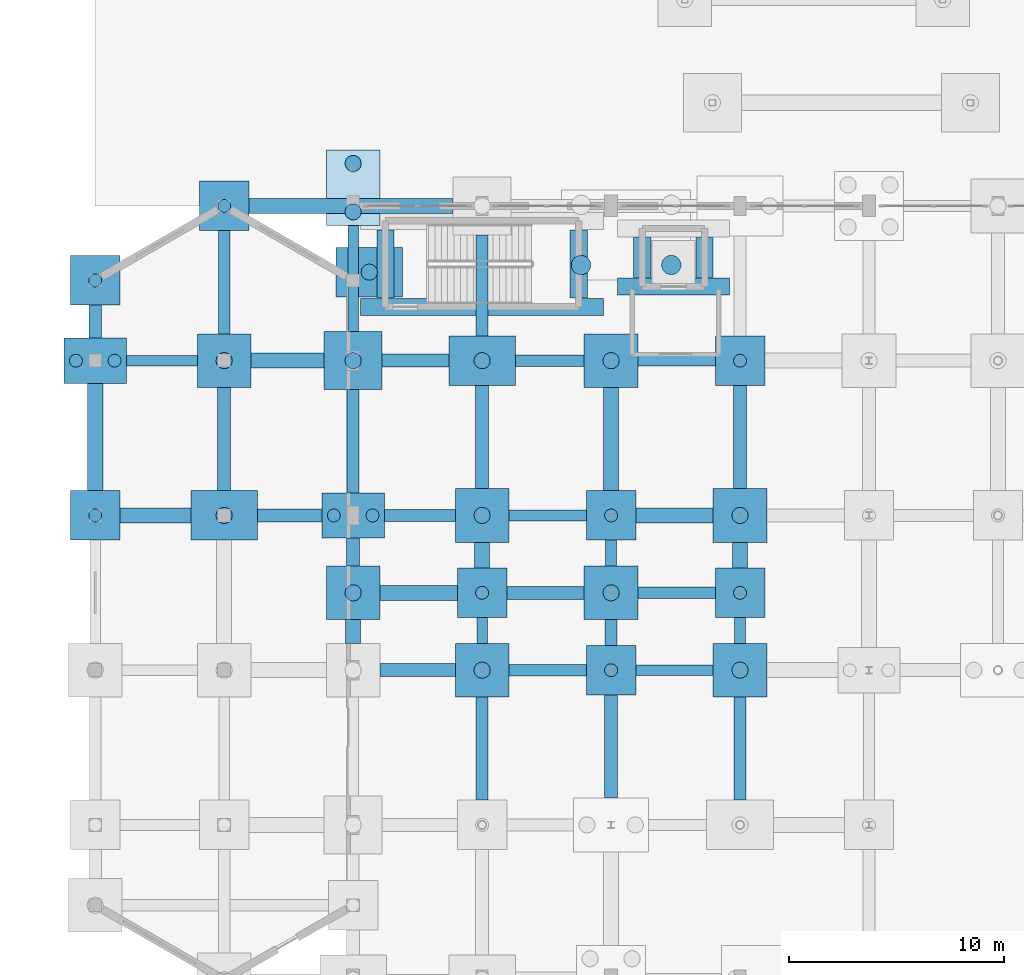
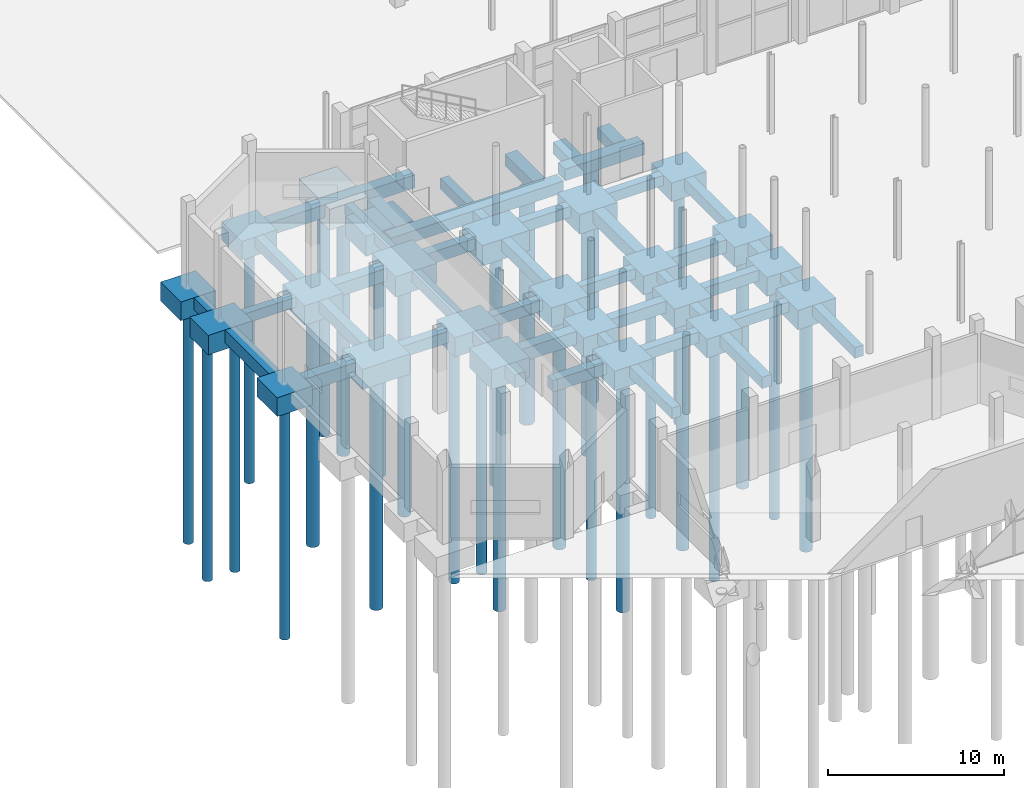
# One storey, part 4 of 103: 67 footings, 28 piles.
"""IFC4 building model written with IfcOpenShell, lengths in metres."""

from ifc_helpers import new_model, si_unit, direction, frame, origin, origin_2d, place, context, subcontext, project, spatial, rectangle, circle, extrude, material, material_profile, profile_set, type_object, element, save


model = new_model("IFC4")

# Units and contexts
model_context = context("Model", 3, precision=1e-05, world=origin(), true_north=direction((0.0, 1.0)))
body_context = subcontext(model_context, "Body", "Model", "MODEL_VIEW")
ifc_project = project(units=[si_unit("LENGTHUNIT", "METRE"), si_unit("AREAUNIT", "SQUARE_METRE"), si_unit("VOLUMEUNIT", "CUBIC_METRE"), si_unit("PLANEANGLEUNIT", "RADIAN"), si_unit("MASSUNIT", "GRAM", prefix="KILO")], contexts=[model_context])

# Site, building, storey
site_placement = place(None, origin())
site = spatial("IfcSite", under=ifc_project, at=site_placement, CompositionType="ELEMENT")
building_placement = place(site_placement, origin())
building = spatial("IfcBuilding", under=site, at=building_placement, Name="Dunvalen Ferry Terminal", CompositionType="ELEMENT")
storey_placement = place(building_placement, origin())
storey = spatial("IfcBuildingStorey", under=building, at=storey_placement, Name="L00", CompositionType="ELEMENT", Elevation=0.0)

# Footings
ifc_material = material(Name="Concrete C40/50", Category="concrete")
ifc_material_profile_1 = material_profile(ifc_material, rectangle(XDim=0.5, YDim=0.699951171875, at=origin_2d()), Name="Concrete C40/50")
ifc_profile_set_1 = profile_set([ifc_material_profile_1], Name="Concrete C40/50")
footing_type_1 = type_object("IfcFootingType", Name="STR-GB-500x700", PredefinedType="FOOTING_BEAM", material=ifc_profile_set_1)
for number, where, z_axis, x_axis, name in (
    (1, (25.14990234375, 64.800048828125, -0.669921875), (1.0, 0.0, 0.0), (0.0, 1.0, 0.0), "L00 Ground Beam X-231"),
    (2, (19.25, 72.0, -0.669921875), (1.0, 0.0, 0.0), (0.0, 1.0, 0.0), "L00 Ground Beam X-263"),
):
    element("IfcFooting", number, at=place(storey_placement, frame(where, z_axis=z_axis, x_axis=x_axis)), inside=storey, type_object=footing_type_1, Name=name, PredefinedType="FOOTING_BEAM", context=body_context, shape_type="SweptSolid", body=[
        extrude(rectangle(XDim=0.5, YDim=0.699951171875, at=origin_2d()), origin(), (0.0, 0.0, 1.0), 3.60009765625),
    ])
footing_1_placement = place(storey_placement, frame((1.449951171875, 79.199951171875, -0.669921875), z_axis=(1.0, 0.0, 0.0), x_axis=(0.0, 1.0, 0.0)))
element("IfcFooting", 3, at=footing_1_placement, inside=storey, type_object=footing_type_1, Name="L00 Ground Beam X-287", PredefinedType="FOOTING_BEAM", context=body_context, shape_type="SweptSolid", body=[
    extrude(rectangle(XDim=0.5, YDim=0.699951171875, at=origin_2d()), origin(), (0.0, 0.0, 1.0), 3.300048828125),
])
footing_2_placement = place(storey_placement, frame((25.25, 79.199951171875, -0.669921875), z_axis=(1.0, 0.0, 0.0), x_axis=(0.0, 1.0, 0.0)))
element("IfcFooting", 4, at=footing_2_placement, inside=storey, type_object=footing_type_1, Name="L00 Ground Beam X-291", PredefinedType="FOOTING_BEAM", context=body_context, shape_type="SweptSolid", body=[
    extrude(rectangle(XDim=0.5, YDim=0.699951171875, at=origin_2d()), origin(), (0.0, 0.0, 1.0), 3.60009765625),
])
footing_3_placement = place(storey_placement, frame((12.0, 80.550048828125, -0.669921875), z_axis=(0.0, 1.0, 0.0), x_axis=(-1.0, 0.0, 0.0)))
element("IfcFooting", 5, at=footing_3_placement, inside=storey, type_object=footing_type_1, Name="L00 Ground Beam Y-375", PredefinedType="FOOTING_BEAM", context=body_context, shape_type="SweptSolid", body=[
    extrude(rectangle(XDim=0.5, YDim=0.699951171875, at=origin_2d()), origin(), (0.0, 0.0, 1.0), 4.949951171875),
])
footing_4_placement = place(storey_placement, frame((18.0, 66.050048828125, -0.669921875), z_axis=(0.0, 1.0, 0.0), x_axis=(-1.0, 0.0, 0.0)))
element("IfcFooting", 6, at=footing_4_placement, inside=storey, type_object=footing_type_1, Name="L00 Ground Beam Y-379", PredefinedType="FOOTING_BEAM", context=body_context, shape_type="SweptSolid", body=[
    extrude(rectangle(XDim=0.5, YDim=0.699951171875, at=origin_2d()), origin(), (0.0, 0.0, 1.0), 1.199951171875),
])
footing_5_placement = place(storey_placement, frame((24.0, 69.64990234375, -0.669921875), z_axis=(0.0, 1.0, 0.0), x_axis=(-1.0, 0.0, 0.0)))
element("IfcFooting", 7, at=footing_5_placement, inside=storey, type_object=footing_type_1, Name="L00 Ground Beam Y-387", PredefinedType="FOOTING_BEAM", context=body_context, shape_type="SweptSolid", body=[
    extrude(rectangle(XDim=0.5, YDim=0.699951171875, at=origin_2d()), origin(), (0.0, 0.0, 1.0), 1.2001953125),
])
footing_6_placement = place(storey_placement, frame((30.0, 66.050048828125, -0.669921875), z_axis=(0.0, 1.0, 0.0), x_axis=(-1.0, 0.0, 0.0)))
element("IfcFooting", 8, at=footing_6_placement, inside=storey, type_object=footing_type_1, Name="L00 Ground Beam Y-391", PredefinedType="FOOTING_BEAM", context=body_context, shape_type="SweptSolid", body=[
    extrude(rectangle(XDim=0.5, YDim=0.699951171875, at=origin_2d()), origin(), (0.0, 0.0, 1.0), 1.199951171875),
])
ifc_material_profile_2 = material_profile(ifc_material, rectangle(XDim=0.550048828125, YDim=0.75, at=origin_2d()), Name="Concrete C40/50")
ifc_profile_set_2 = profile_set([ifc_material_profile_2], Name="Concrete C40/50")
footing_type_2 = type_object("IfcFootingType", Name="STR-GB-550x750", PredefinedType="FOOTING_BEAM", material=ifc_profile_set_2)
for number, where, z_axis, x_axis, name in (
    (9, (19.25, 64.800048828125, -0.695068359375), (1.0, 0.0, 0.0), (0.0, 1.0, 0.0), "L00 Ground Beam X-230"),
    (10, (25.25, 68.39990234375, -0.695068359375), (1.0, 0.0, 0.0), (0.0, 1.0, 0.0), "L00 Ground Beam X-250"),
):
    element("IfcFooting", number, at=place(storey_placement, frame(where, z_axis=z_axis, x_axis=x_axis)), inside=storey, type_object=footing_type_2, Name=name, PredefinedType="FOOTING_BEAM", context=body_context, shape_type="SweptSolid", body=[
        extrude(rectangle(XDim=0.550048828125, YDim=0.75, at=origin_2d()), origin(), (0.0, 0.0, 1.0), 3.60009765625),
    ])
footing_7_placement = place(storey_placement, frame((13.449951171875, 72.0, -0.695068359375), z_axis=(1.0, 0.0, 0.0), x_axis=(0.0, 1.0, 0.0)))
element("IfcFooting", 11, at=footing_7_placement, inside=storey, type_object=footing_type_2, Name="L00 Ground Beam X-262", PredefinedType="FOOTING_BEAM", context=body_context, shape_type="SweptSolid", body=[
    extrude(rectangle(XDim=0.550048828125, YDim=0.75, at=origin_2d()), origin(), (0.0, 0.0, 1.0), 3.300048828125),
])
footing_8_placement = place(storey_placement, frame((19.550048828125, 79.199951171875, -0.695068359375), z_axis=(1.0, 0.0, 0.0), x_axis=(0.0, 1.0, 0.0)))
element("IfcFooting", 12, at=footing_8_placement, inside=storey, type_object=footing_type_2, Name="L00 Ground Beam X-290", PredefinedType="FOOTING_BEAM", context=body_context, shape_type="SweptSolid", body=[
    extrude(rectangle(XDim=0.550048828125, YDim=0.75, at=origin_2d()), origin(), (0.0, 0.0, 1.0), 3.199951171875),
])
for number, where, z_axis, x_axis, name in (
    (13, (6.0, 80.449951171875, -0.695068359375), (0.0, 1.0, 0.0), (-1.0, 0.0, 0.0), "L00 Ground Beam Y-366"),
    (14, (12.0, 73.050048828125, -0.695068359375), (0.0, 1.0, 0.0), (-1.0, 0.0, 0.0), "L00 Ground Beam Y-374"),
    (15, (18.0, 58.75, -0.695068359375), (0.0, 1.0, 0.0), (-1.0, 0.0, 0.0), "L00 Ground Beam Y-378"),
):
    element("IfcFooting", number, at=place(storey_placement, frame(where, z_axis=z_axis, x_axis=x_axis)), inside=storey, type_object=footing_type_2, Name=name, PredefinedType="FOOTING_BEAM", context=body_context, shape_type="SweptSolid", body=[
        extrude(rectangle(XDim=0.550048828125, YDim=0.75, at=origin_2d()), origin(), (0.0, 0.0, 1.0), 4.800048828125),
    ])
footing_9_placement = place(storey_placement, frame((18.0, 80.35009765625, -0.695068359375), z_axis=(0.0, 1.0, 0.0), x_axis=(-1.0, 0.0, 0.0)))
element("IfcFooting", 16, at=footing_9_placement, inside=storey, type_object=footing_type_2, Name="L00 Ground Beam Y-382", PredefinedType="FOOTING_BEAM", context=body_context, shape_type="SweptSolid", body=[
    extrude(rectangle(XDim=0.550048828125, YDim=0.75, at=origin_2d()), origin(), (0.0, 0.0, 1.0), 4.699951171875),
])
footing_10_placement = place(storey_placement, frame((24.0, 65.949951171875, -0.695068359375), z_axis=(0.0, 1.0, 0.0), x_axis=(-1.0, 0.0, 0.0)))
element("IfcFooting", 17, at=footing_10_placement, inside=storey, type_object=footing_type_2, Name="L00 Ground Beam Y-386", PredefinedType="FOOTING_BEAM", context=body_context, shape_type="SweptSolid", body=[
    extrude(rectangle(XDim=0.550048828125, YDim=0.75, at=origin_2d()), origin(), (0.0, 0.0, 1.0), 1.199951171875),
])
footing_11_placement = place(storey_placement, frame((30.0, 58.75, -0.695068359375), z_axis=(0.0, 1.0, 0.0), x_axis=(-1.0, 0.0, 0.0)))
element("IfcFooting", 18, at=footing_11_placement, inside=storey, type_object=footing_type_2, Name="L00 Ground Beam Y-390", PredefinedType="FOOTING_BEAM", context=body_context, shape_type="SweptSolid", body=[
    extrude(rectangle(XDim=0.550048828125, YDim=0.75, at=origin_2d()), origin(), (0.0, 0.0, 1.0), 4.800048828125),
])
ifc_material_profile_3 = material_profile(ifc_material, rectangle(XDim=0.60009765625, YDim=0.800048828125, at=origin_2d()), Name="Concrete C40/50")
ifc_profile_set_3 = profile_set([ifc_material_profile_3], Name="Concrete C40/50")
footing_type_3 = type_object("IfcFootingType", Name="STR-GB-600x800", PredefinedType="FOOTING_BEAM", material=ifc_profile_set_3)
footing_12_placement = place(storey_placement, frame((13.25, 64.800048828125, -0.719970703125), z_axis=(1.0, 0.0, 0.0), x_axis=(0.0, 1.0, 0.0)))
element("IfcFooting", 19, at=footing_12_placement, inside=storey, type_object=footing_type_3, Name="L00 Ground Beam X-229", PredefinedType="FOOTING_BEAM", context=body_context, shape_type="SweptSolid", body=[
    extrude(rectangle(XDim=0.60009765625, YDim=0.800048828125, at=origin_2d()), origin(), (0.0, 0.0, 1.0), 3.5),
])
footing_13_placement = place(storey_placement, frame((19.14990234375, 68.39990234375, -0.719970703125), z_axis=(1.0, 0.0, 0.0), x_axis=(0.0, 1.0, 0.0)))
element("IfcFooting", 20, at=footing_13_placement, inside=storey, type_object=footing_type_3, Name="L00 Ground Beam X-249", PredefinedType="FOOTING_BEAM", context=body_context, shape_type="SweptSolid", body=[
    extrude(rectangle(XDim=0.60009765625, YDim=0.800048828125, at=origin_2d()), origin(), (0.0, 0.0, 1.0), 3.60009765625),
])
footing_14_placement = place(storey_placement, frame((7.550048828125, 72.0, -0.719970703125), z_axis=(1.0, 0.0, 0.0), x_axis=(0.0, 1.0, 0.0)))
element("IfcFooting", 21, at=footing_14_placement, inside=storey, type_object=footing_type_3, Name="L00 Ground Beam X-261", PredefinedType="FOOTING_BEAM", context=body_context, shape_type="SweptSolid", body=[
    extrude(rectangle(XDim=0.60009765625, YDim=0.800048828125, at=origin_2d()), origin(), (0.0, 0.0, 1.0), 3.0),
])
footing_15_placement = place(storey_placement, frame((13.35009765625, 79.199951171875, -0.719970703125), z_axis=(1.0, 0.0, 0.0), x_axis=(0.0, 1.0, 0.0)))
element("IfcFooting", 22, at=footing_15_placement, inside=storey, type_object=footing_type_3, Name="L00 Ground Beam X-289", PredefinedType="FOOTING_BEAM", context=body_context, shape_type="SweptSolid", body=[
    extrude(rectangle(XDim=0.60009765625, YDim=0.800048828125, at=origin_2d()), origin(), (0.0, 0.0, 1.0), 3.099853515625),
])
footing_16_placement = place(storey_placement, frame((0.0, 80.25, -0.719970703125), z_axis=(0.0, 1.0, 0.0), x_axis=(-1.0, 0.0, 0.0)))
element("IfcFooting", 23, at=footing_16_placement, inside=storey, type_object=footing_type_3, Name="L00 Ground Beam Y-361", PredefinedType="FOOTING_BEAM", context=body_context, shape_type="SweptSolid", body=[
    extrude(rectangle(XDim=0.60009765625, YDim=0.800048828125, at=origin_2d()), origin(), (0.0, 0.0, 1.0), 1.535888671875),
])
footing_17_placement = place(storey_placement, frame((6.0, 73.14990234375, -0.719970703125), z_axis=(0.0, 1.0, 0.0), x_axis=(-1.0, 0.0, 0.0)))
element("IfcFooting", 24, at=footing_17_placement, inside=storey, type_object=footing_type_3, Name="L00 Ground Beam Y-365", PredefinedType="FOOTING_BEAM", context=body_context, shape_type="SweptSolid", body=[
    extrude(rectangle(XDim=0.60009765625, YDim=0.800048828125, at=origin_2d()), origin(), (0.0, 0.0, 1.0), 4.800048828125),
])
footing_18_placement = place(storey_placement, frame((12.0, 69.64990234375, -0.719970703125), z_axis=(0.0, 1.0, 0.0), x_axis=(-1.0, 0.0, 0.0)))
element("IfcFooting", 25, at=footing_18_placement, inside=storey, type_object=footing_type_3, Name="L00 Ground Beam Y-373", PredefinedType="FOOTING_BEAM", context=body_context, shape_type="SweptSolid", body=[
    extrude(rectangle(XDim=0.60009765625, YDim=0.800048828125, at=origin_2d()), origin(), (0.0, 0.0, 1.0), 1.300048828125),
])
footing_19_placement = place(storey_placement, frame((18.0, 73.25, -0.719970703125), z_axis=(0.0, 1.0, 0.0), x_axis=(-1.0, 0.0, 0.0)))
element("IfcFooting", 26, at=footing_19_placement, inside=storey, type_object=footing_type_3, Name="L00 Ground Beam Y-381", PredefinedType="FOOTING_BEAM", context=body_context, shape_type="SweptSolid", body=[
    extrude(rectangle(XDim=0.60009765625, YDim=0.800048828125, at=origin_2d()), origin(), (0.0, 0.0, 1.0), 4.800048828125),
])
footing_20_placement = place(storey_placement, frame((24.0, 58.85009765625, -0.719970703125), z_axis=(0.0, 1.0, 0.0), x_axis=(-1.0, 0.0, 0.0)))
element("IfcFooting", 27, at=footing_20_placement, inside=storey, type_object=footing_type_3, Name="L00 Ground Beam Y-385", PredefinedType="FOOTING_BEAM", context=body_context, shape_type="SweptSolid", body=[
    extrude(rectangle(XDim=0.60009765625, YDim=0.800048828125, at=origin_2d()), origin(), (0.0, 0.0, 1.0), 4.7998046875),
])
footing_21_placement = place(storey_placement, frame((30.0, 73.25, -0.719970703125), z_axis=(0.0, 1.0, 0.0), x_axis=(-1.0, 0.0, 0.0)))
element("IfcFooting", 28, at=footing_21_placement, inside=storey, type_object=footing_type_3, Name="L00 Ground Beam Y-393", PredefinedType="FOOTING_BEAM", context=body_context, shape_type="SweptSolid", body=[
    extrude(rectangle(XDim=0.60009765625, YDim=0.800048828125, at=origin_2d()), origin(), (0.0, 0.0, 1.0), 4.800048828125),
])
ifc_material_profile_4 = material_profile(ifc_material, rectangle(XDim=0.699951171875, YDim=0.89990234375, at=origin_2d()), Name="Concrete C40/50")
ifc_profile_set_4 = profile_set([ifc_material_profile_4], Name="Concrete C40/50")
footing_type_4 = type_object("IfcFootingType", Name="STR-GB-700x900", PredefinedType="FOOTING_BEAM", material=ifc_profile_set_4)
footing_22_placement = place(storey_placement, frame((13.25, 68.39990234375, -0.77001953125), z_axis=(1.0, 0.0, 0.0), x_axis=(0.0, 1.0, 0.0)))
element("IfcFooting", 29, at=footing_22_placement, inside=storey, type_object=footing_type_4, Name="L00 Ground Beam X-248", PredefinedType="FOOTING_BEAM", context=body_context, shape_type="SweptSolid", body=[
    extrude(rectangle(XDim=0.699951171875, YDim=0.89990234375, at=origin_2d()), origin(), (0.0, 0.0, 1.0), 3.60009765625),
])
footing_23_placement = place(storey_placement, frame((1.14990234375, 72.0, -0.77001953125), z_axis=(1.0, 0.0, 0.0), x_axis=(0.0, 1.0, 0.0)))
element("IfcFooting", 30, at=footing_23_placement, inside=storey, type_object=footing_type_4, Name="L00 Ground Beam X-260", PredefinedType="FOOTING_BEAM", context=body_context, shape_type="SweptSolid", body=[
    extrude(rectangle(XDim=0.699951171875, YDim=0.89990234375, at=origin_2d()), origin(), (0.0, 0.0, 1.0), 3.300048828125),
])
footing_24_placement = place(storey_placement, frame((25.14990234375, 72.0, -0.77001953125), z_axis=(1.0, 0.0, 0.0), x_axis=(0.0, 1.0, 0.0)))
element("IfcFooting", 31, at=footing_24_placement, inside=storey, type_object=footing_type_4, Name="L00 Ground Beam X-264", PredefinedType="FOOTING_BEAM", context=body_context, shape_type="SweptSolid", body=[
    extrude(rectangle(XDim=0.699951171875, YDim=0.89990234375, at=origin_2d()), origin(), (0.0, 0.0, 1.0), 3.60009765625),
])
footing_25_placement = place(storey_placement, frame((7.25, 79.199951171875, -0.77001953125), z_axis=(1.0, 0.0, 0.0), x_axis=(0.0, 1.0, 0.0)))
element("IfcFooting", 32, at=footing_25_placement, inside=storey, type_object=footing_type_4, Name="L00 Ground Beam X-288", PredefinedType="FOOTING_BEAM", context=body_context, shape_type="SweptSolid", body=[
    extrude(rectangle(XDim=0.699951171875, YDim=0.89990234375, at=origin_2d()), origin(), (0.0, 0.0, 1.0), 3.39990234375),
])
footing_26_placement = place(storey_placement, frame((7.14990234375, 86.39990234375, -0.77001953125), z_axis=(1.0, 0.0, 0.0), x_axis=(0.0, 1.0, 0.0)))
element("IfcFooting", 33, at=footing_26_placement, inside=storey, type_object=footing_type_4, Name="L00 Ground Beam X-312", PredefinedType="FOOTING_BEAM", context=body_context, shape_type="SweptSolid", body=[
    extrude(rectangle(XDim=0.699951171875, YDim=0.89990234375, at=origin_2d()), origin(), (0.0, 0.0, 1.0), 9.5),
])
footing_27_placement = place(storey_placement, frame((0.0, 73.14990234375, -0.77001953125), z_axis=(0.0, 1.0, 0.0), x_axis=(-1.0, 0.0, 0.0)))
element("IfcFooting", 34, at=footing_27_placement, inside=storey, type_object=footing_type_4, Name="L00 Ground Beam Y-360", PredefinedType="FOOTING_BEAM", context=body_context, shape_type="SweptSolid", body=[
    extrude(rectangle(XDim=0.699951171875, YDim=0.89990234375, at=origin_2d()), origin(), (0.0, 0.0, 1.0), 5.0),
])
footing_28_placement = place(storey_placement, frame((12.0, 66.050048828125, -0.77001953125), z_axis=(0.0, 1.0, 0.0), x_axis=(-1.0, 0.0, 0.0)))
element("IfcFooting", 35, at=footing_28_placement, inside=storey, type_object=footing_type_4, Name="L00 Ground Beam Y-372", PredefinedType="FOOTING_BEAM", context=body_context, shape_type="SweptSolid", body=[
    extrude(rectangle(XDim=0.699951171875, YDim=0.89990234375, at=origin_2d()), origin(), (0.0, 0.0, 1.0), 1.099853515625),
])
footing_29_placement = place(storey_placement, frame((18.0, 69.550048828125, -0.77001953125), z_axis=(0.0, 1.0, 0.0), x_axis=(-1.0, 0.0, 0.0)))
element("IfcFooting", 36, at=footing_29_placement, inside=storey, type_object=footing_type_4, Name="L00 Ground Beam Y-380", PredefinedType="FOOTING_BEAM", context=body_context, shape_type="SweptSolid", body=[
    extrude(rectangle(XDim=0.699951171875, YDim=0.89990234375, at=origin_2d()), origin(), (0.0, 0.0, 1.0), 1.199951171875),
])
footing_30_placement = place(storey_placement, frame((24.0, 73.14990234375, -0.77001953125), z_axis=(0.0, 1.0, 0.0), x_axis=(-1.0, 0.0, 0.0)))
element("IfcFooting", 37, at=footing_30_placement, inside=storey, type_object=footing_type_4, Name="L00 Ground Beam Y-388", PredefinedType="FOOTING_BEAM", context=body_context, shape_type="SweptSolid", body=[
    extrude(rectangle(XDim=0.699951171875, YDim=0.89990234375, at=origin_2d()), origin(), (0.0, 0.0, 1.0), 4.800048828125),
])
footing_31_placement = place(storey_placement, frame((30.0, 69.550048828125, -0.77001953125), z_axis=(0.0, 1.0, 0.0), x_axis=(-1.0, 0.0, 0.0)))
element("IfcFooting", 38, at=footing_31_placement, inside=storey, type_object=footing_type_4, Name="L00 Ground Beam Y-392", PredefinedType="FOOTING_BEAM", context=body_context, shape_type="SweptSolid", body=[
    extrude(rectangle(XDim=0.699951171875, YDim=0.89990234375, at=origin_2d()), origin(), (0.0, 0.0, 1.0), 1.199951171875),
])
footing_type_5 = type_object("IfcFootingType", Name="STR-PC-04", PredefinedType="PILE_CAP", material=ifc_material)
for number, where, z_axis, x_axis, name in (
    (39, (0.0, 72.0, -1.6201171875), (0.0, 0.0, 1.0), (1.0, 0.0, 0.0), "L00 Pile Cap 004"),
    (40, (0.0, 82.93603515625, -1.6201171875), (0.0, 0.0, 1.0), (1.0, 0.0, 0.0), "L00 Pile Cap 006"),
    (41, (6.0, 86.39990234375, -1.6201171875), (0.0, 0.0, 1.0), (1.0, 0.0, 0.0), "L00 Pile Cap 012"),
    (42, (18.0, 68.39990234375, -1.6201171875), (0.0, 0.0, 1.0), (1.0, 0.0, 0.0), "L00 Pile Cap 028"),
    (43, (24.0, 64.800048828125, -1.6201171875), (0.0, 0.0, 1.0), (1.0, 0.0, 0.0), "L00 Pile Cap 036"),
    (44, (24.0, 72.0, -1.6201171875), (0.0, 0.0, 1.0), (1.0, 0.0, 0.0), "L00 Pile Cap 038"),
    (45, (30.0, 68.39990234375, -1.6201171875), (0.0, 0.0, 1.0), (1.0, 0.0, 0.0), "L00 Pile Cap 049"),
    (46, (30.0, 79.199951171875, -1.6201171875), (0.0, 0.0, 1.0), (1.0, 0.0, 0.0), "L00 Pile Cap 051"),
):
    element("IfcFooting", number, at=place(storey_placement, frame(where, z_axis=z_axis, x_axis=x_axis)), inside=storey, type_object=footing_type_5, Name=name, PredefinedType="PILE_CAP", context=body_context, shape_type="SweptSolid", body=[
        extrude(rectangle(XDim=2.300048828125, YDim=2.300048828125, at=origin_2d()), origin(), (0.0, 0.0, 1.0), 1.300048828125),
    ])
footing_type_6 = type_object("IfcFootingType", Name="STR-PC-05", PredefinedType="PILE_CAP", material=ifc_material)
for number, where, z_axis, x_axis, name in (
    (47, (6.0, 79.199951171875, -1.670166015625), (0.0, 0.0, 1.0), (1.0, 0.0, 0.0), "L00 Pile Cap 011"),
    (48, (12.0, 68.39990234375, -1.670166015625), (0.0, 0.0, 1.0), (1.0, 0.0, 0.0), "L00 Pile Cap 019"),
    (49, (18.0, 64.800048828125, -1.670166015625), (0.0, 0.0, 1.0), (1.0, 0.0, 0.0), "L00 Pile Cap 027"),
    (50, (18.0, 72.0, -1.670166015625), (0.0, 0.0, 1.0), (1.0, 0.0, 0.0), "L00 Pile Cap 029"),
    (51, (24.0, 68.39990234375, -1.670166015625), (0.0, 0.0, 1.0), (1.0, 0.0, 0.0), "L00 Pile Cap 037"),
    (52, (24.0, 79.199951171875, -1.670166015625), (0.0, 0.0, 1.0), (1.0, 0.0, 0.0), "L00 Pile Cap 039"),
    (53, (30.0, 64.800048828125, -1.670166015625), (0.0, 0.0, 1.0), (1.0, 0.0, 0.0), "L00 Pile Cap 048"),
    (54, (30.0, 72.0, -1.670166015625), (0.0, 0.0, 1.0), (1.0, 0.0, 0.0), "L00 Pile Cap 050"),
):
    element("IfcFooting", number, at=place(storey_placement, frame(where, z_axis=z_axis, x_axis=x_axis)), inside=storey, type_object=footing_type_6, Name=name, PredefinedType="PILE_CAP", context=body_context, shape_type="SweptSolid", body=[
        extrude(rectangle(XDim=2.5, YDim=2.5, at=origin_2d()), origin(), (0.0, 0.0, 1.0), 1.35009765625),
    ])
footing_type_7 = type_object("IfcFootingType", Name="STR-PC-06", PredefinedType="PILE_CAP", material=ifc_material)
footing_32_placement = place(storey_placement, frame((12.0, 79.199951171875, -1.719970703125), z_axis=(0.0, 0.0, 1.0), x_axis=(1.0, 0.0, 0.0)))
element("IfcFooting", 55, at=footing_32_placement, inside=storey, type_object=footing_type_7, Name="L00 Pile Cap 021", PredefinedType="PILE_CAP", context=body_context, shape_type="SweptSolid", body=[
    extrude(rectangle(XDim=2.699951171875, YDim=2.699951171875, at=origin_2d()), origin(), (0.0, 0.0, 1.0), 1.39990234375),
])
footing_type_8 = type_object("IfcFootingType", Name="STR-PC-07", PredefinedType="PILE_CAP", material=ifc_material)
for number, where, z_axis, x_axis, name in (
    (56, (0.0, 79.199951171875, -1.670166015625), (0.0, 0.0, 1.0), (1.0, 0.0, 0.0), "L00 Pile Cap 005"),
    (57, (12.0, 72.0, -1.670166015625), (0.0, 0.0, 1.0), (1.0, 0.0, 0.0), "L00 Pile Cap 020"),
):
    element("IfcFooting", number, at=place(storey_placement, frame(where, z_axis=z_axis, x_axis=x_axis)), inside=storey, type_object=footing_type_8, Name=name, PredefinedType="PILE_CAP", context=body_context, shape_type="SweptSolid", body=[
        extrude(rectangle(XDim=2.89990234375, YDim=2.10009765625, at=origin_2d()), origin(), (0.0, 0.0, 1.0), 1.35009765625),
    ])
footing_type_9 = type_object("IfcFootingType", Name="STR-PC-08", PredefinedType="PILE_CAP", material=ifc_material)
for number, where, z_axis, x_axis, name in (
    (58, (6.0, 72.0, -1.719970703125), (0.0, 0.0, 1.0), (1.0, 0.0, 0.0), "L00 Pile Cap 010"),
    (59, (12.75, 83.318115234375, -1.719970703125), (0.0, 0.0, 1.0), (1.0, 0.0, 0.0), "L00 Pile Cap 022"),
    (60, (18.0, 79.199951171875, -1.719970703125), (0.0, 0.0, 1.0), (1.0, 0.0, 0.0), "L00 Pile Cap 030"),
):
    element("IfcFooting", number, at=place(storey_placement, frame(where, z_axis=z_axis, x_axis=x_axis)), inside=storey, type_object=footing_type_9, Name=name, PredefinedType="PILE_CAP", context=body_context, shape_type="SweptSolid", body=[
        extrude(rectangle(XDim=3.10009765625, YDim=2.300048828125, at=origin_2d()), origin(), (0.0, 0.0, 1.0), 1.39990234375),
    ])
footing_type_10 = type_object("IfcFootingType", Name="STR-PC-10", PredefinedType="PILE_CAP", material=ifc_material)
footing_33_placement = place(storey_placement, frame((12.0, 87.25, -1.77001953125), z_axis=(0.0, 0.0, 1.0), x_axis=(0.0, 1.0, 0.0)))
element("IfcFooting", 61, at=footing_33_placement, inside=storey, type_object=footing_type_10, Name="L00 Pile Cap 023", PredefinedType="PILE_CAP", context=body_context, shape_type="SweptSolid", body=[
    extrude(rectangle(XDim=3.5, YDim=2.5, at=origin_2d()), origin(), (0.0, 0.0, 1.0), 1.449951171875),
])

# Piles
ifc_material_profile_5 = material_profile(ifc_material, circle(Radius=0.300048828125, at=origin_2d()), Name="Concrete C40/50")
ifc_profile_set_5 = profile_set([ifc_material_profile_5], Name="Concrete C40/50")
pile_type_1 = type_object("IfcPileType", Name="STR-PILE-P600", PredefinedType="BORED", material=ifc_profile_set_5)
pile_1_placement = place(storey_placement, frame((0.0, 72.0, -1.52001953125), z_axis=(0.0, 0.0, -1.0), x_axis=(1.0, 0.0, 0.0)))
element("IfcPile", 62, at=pile_1_placement, inside=storey, type_object=pile_type_1, Name="L00 Bored Pile 004.1", PredefinedType="BORED", context=body_context, shape_type="SweptSolid", body=[
    extrude(circle(Radius=0.300048828125, at=origin_2d()), origin(), (0.0, 0.0, 1.0), 16.47998046875),
])
for number, where, z_axis, x_axis, name in (
    (63, (-0.89990234375, 79.199951171875, -1.570068359375), (0.0, 0.0, -1.0), (1.0, 0.0, 0.0), "L00 Bored Pile 005.1"),
    (64, (0.89990234375, 79.199951171875, -1.570068359375), (0.0, 0.0, -1.0), (1.0, 0.0, 0.0), "L00 Bored Pile 005.2"),
):
    element("IfcPile", number, at=place(storey_placement, frame(where, z_axis=z_axis, x_axis=x_axis)), inside=storey, type_object=pile_type_1, Name=name, PredefinedType="BORED", context=body_context, shape_type="SweptSolid", body=[
        extrude(circle(Radius=0.300048828125, at=origin_2d()), origin(), (0.0, 0.0, 1.0), 16.429931640625),
    ])
for number, where, z_axis, x_axis, name in (
    (65, (0.0, 82.93603515625, -1.52001953125), (0.0, 0.0, -1.0), (1.0, 0.0, 0.0), "L00 Bored Pile 006.1"),
    (66, (6.0, 86.39990234375, -1.52001953125), (0.0, 0.0, -1.0), (1.0, 0.0, 0.0), "L00 Bored Pile 012.1"),
):
    element("IfcPile", number, at=place(storey_placement, frame(where, z_axis=z_axis, x_axis=x_axis)), inside=storey, type_object=pile_type_1, Name=name, PredefinedType="BORED", context=body_context, shape_type="SweptSolid", body=[
        extrude(circle(Radius=0.300048828125, at=origin_2d()), origin(), (0.0, 0.0, 1.0), 16.47998046875),
    ])
for number, where, z_axis, x_axis, name in (
    (67, (11.10009765625, 72.0, -1.570068359375), (0.0, 0.0, -1.0), (1.0, 0.0, 0.0), "L00 Bored Pile 020.1"),
    (68, (12.89990234375, 72.0, -1.570068359375), (0.0, 0.0, -1.0), (1.0, 0.0, 0.0), "L00 Bored Pile 020.2"),
):
    element("IfcPile", number, at=place(storey_placement, frame(where, z_axis=z_axis, x_axis=x_axis)), inside=storey, type_object=pile_type_1, Name=name, PredefinedType="BORED", context=body_context, shape_type="SweptSolid", body=[
        extrude(circle(Radius=0.300048828125, at=origin_2d()), origin(), (0.0, 0.0, 1.0), 16.429931640625),
    ])
for number, where, z_axis, x_axis, name in (
    (69, (18.0, 68.39990234375, -1.52001953125), (0.0, 0.0, -1.0), (1.0, 0.0, 0.0), "L00 Bored Pile 028.1"),
    (70, (24.0, 64.800048828125, -1.52001953125), (0.0, 0.0, -1.0), (1.0, 0.0, 0.0), "L00 Bored Pile 036.1"),
    (71, (24.0, 72.0, -1.52001953125), (0.0, 0.0, -1.0), (1.0, 0.0, 0.0), "L00 Bored Pile 038.1"),
    (72, (30.0, 68.39990234375, -1.52001953125), (0.0, 0.0, -1.0), (1.0, 0.0, 0.0), "L00 Bored Pile 049.1"),
    (73, (30.0, 79.199951171875, -1.52001953125), (0.0, 0.0, -1.0), (1.0, 0.0, 0.0), "L00 Bored Pile 051.1"),
):
    element("IfcPile", number, at=place(storey_placement, frame(where, z_axis=z_axis, x_axis=x_axis)), inside=storey, type_object=pile_type_1, Name=name, PredefinedType="BORED", context=body_context, shape_type="SweptSolid", body=[
        extrude(circle(Radius=0.300048828125, at=origin_2d()), origin(), (0.0, 0.0, 1.0), 16.47998046875),
    ])
ifc_material_profile_6 = material_profile(ifc_material, circle(Radius=0.375, at=origin_2d()), Name="Concrete C40/50")
ifc_profile_set_6 = profile_set([ifc_material_profile_6], Name="Concrete C40/50")
pile_type_2 = type_object("IfcPileType", Name="STR-PILE-P750", PredefinedType="BORED", material=ifc_profile_set_6)
pile_2_placement = place(storey_placement, frame((6.0, 72.0, -1.6201171875), z_axis=(0.0, 0.0, -1.0), x_axis=(1.0, 0.0, 0.0)))
element("IfcPile", 74, at=pile_2_placement, inside=storey, type_object=pile_type_2, Name="L00 Bored Pile 010.1", PredefinedType="BORED", context=body_context, shape_type="SweptSolid", body=[
    extrude(circle(Radius=0.375, at=origin_2d()), origin(), (0.0, 0.0, 1.0), 16.3798828125),
])
for number, where, z_axis, x_axis, name in (
    (75, (6.0, 79.199951171875, -1.570068359375), (0.0, 0.0, -1.0), (1.0, 0.0, 0.0), "L00 Bored Pile 011.1"),
    (76, (12.0, 68.39990234375, -1.570068359375), (0.0, 0.0, -1.0), (1.0, 0.0, 0.0), "L00 Bored Pile 019.1"),
):
    element("IfcPile", number, at=place(storey_placement, frame(where, z_axis=z_axis, x_axis=x_axis)), inside=storey, type_object=pile_type_2, Name=name, PredefinedType="BORED", context=body_context, shape_type="SweptSolid", body=[
        extrude(circle(Radius=0.375, at=origin_2d()), origin(), (0.0, 0.0, 1.0), 16.429931640625),
    ])
for number, where, z_axis, x_axis, name in (
    (77, (12.0, 79.199951171875, -1.6201171875), (0.0, 0.0, -1.0), (1.0, 0.0, 0.0), "L00 Bored Pile 021.1"),
    (78, (12.75, 83.318115234375, -1.6201171875), (0.0, 0.0, -1.0), (1.0, 0.0, 0.0), "L00 Bored Pile 022.1"),
):
    element("IfcPile", number, at=place(storey_placement, frame(where, z_axis=z_axis, x_axis=x_axis)), inside=storey, type_object=pile_type_2, Name=name, PredefinedType="BORED", context=body_context, shape_type="SweptSolid", body=[
        extrude(circle(Radius=0.375, at=origin_2d()), origin(), (0.0, 0.0, 1.0), 16.3798828125),
    ])
for number, where, z_axis, x_axis, name in (
    (79, (12.0, 86.125, -1.669921875), (0.0, 0.0, -1.0), (1.0, 0.0, 0.0), "L00 Bored Pile 023.1"),
    (80, (12.0, 88.375, -1.669921875), (0.0, 0.0, -1.0), (1.0, 0.0, 0.0), "L00 Bored Pile 023.2"),
):
    element("IfcPile", number, at=place(storey_placement, frame(where, z_axis=z_axis, x_axis=x_axis)), inside=storey, type_object=pile_type_2, Name=name, PredefinedType="BORED", context=body_context, shape_type="SweptSolid", body=[
        extrude(circle(Radius=0.375, at=origin_2d()), origin(), (0.0, 0.0, 1.0), 16.330078125),
    ])
for number, where, z_axis, x_axis, name in (
    (81, (18.0, 64.800048828125, -1.570068359375), (0.0, 0.0, -1.0), (1.0, 0.0, 0.0), "L00 Bored Pile 027.1"),
    (82, (18.0, 72.0, -1.570068359375), (0.0, 0.0, -1.0), (1.0, 0.0, 0.0), "L00 Bored Pile 029.1"),
):
    element("IfcPile", number, at=place(storey_placement, frame(where, z_axis=z_axis, x_axis=x_axis)), inside=storey, type_object=pile_type_2, Name=name, PredefinedType="BORED", context=body_context, shape_type="SweptSolid", body=[
        extrude(circle(Radius=0.375, at=origin_2d()), origin(), (0.0, 0.0, 1.0), 16.429931640625),
    ])
pile_3_placement = place(storey_placement, frame((18.0, 79.199951171875, -1.6201171875), z_axis=(0.0, 0.0, -1.0), x_axis=(1.0, 0.0, 0.0)))
element("IfcPile", 83, at=pile_3_placement, inside=storey, type_object=pile_type_2, Name="L00 Bored Pile 030.1", PredefinedType="BORED", context=body_context, shape_type="SweptSolid", body=[
    extrude(circle(Radius=0.375, at=origin_2d()), origin(), (0.0, 0.0, 1.0), 16.3798828125),
])
for number, where, z_axis, x_axis, name in (
    (84, (24.0, 68.39990234375, -1.570068359375), (0.0, 0.0, -1.0), (1.0, 0.0, 0.0), "L00 Bored Pile 037.1"),
    (85, (24.0, 79.199951171875, -1.570068359375), (0.0, 0.0, -1.0), (1.0, 0.0, 0.0), "L00 Bored Pile 039.1"),
    (86, (30.0, 64.800048828125, -1.570068359375), (0.0, 0.0, -1.0), (1.0, 0.0, 0.0), "L00 Bored Pile 048.1"),
    (87, (30.0, 72.0, -1.570068359375), (0.0, 0.0, -1.0), (1.0, 0.0, 0.0), "L00 Bored Pile 050.1"),
):
    element("IfcPile", number, at=place(storey_placement, frame(where, z_axis=z_axis, x_axis=x_axis)), inside=storey, type_object=pile_type_2, Name=name, PredefinedType="BORED", context=body_context, shape_type="SweptSolid", body=[
        extrude(circle(Radius=0.375, at=origin_2d()), origin(), (0.0, 0.0, 1.0), 16.429931640625),
    ])
ifc_material_profile_7 = material_profile(ifc_material, circle(Radius=0.449951171875, at=origin_2d()), Name="Concrete C40/50")
ifc_profile_set_7 = profile_set([ifc_material_profile_7], Name="Concrete C40/50")
pile_type_3 = type_object("IfcPileType", Name="STR-PILE-P900", PredefinedType="BORED", material=ifc_profile_set_7)
for number, where, z_axis, x_axis, name in (
    (88, (22.60009765625, 83.64990234375, -1.820068359375), (0.0, 0.0, -1.0), (1.0, 0.0, 0.0), "L00 Bored Pile 032.1"),
    (89, (26.800048828125, 83.64990234375, -1.820068359375), (0.0, 0.0, -1.0), (1.0, 0.0, 0.0), "L00 Bored Pile 032.2"),
):
    element("IfcPile", number, at=place(storey_placement, frame(where, z_axis=z_axis, x_axis=x_axis)), inside=storey, type_object=pile_type_3, Name=name, PredefinedType="BORED", context=body_context, shape_type="SweptSolid", body=[
        extrude(circle(Radius=0.449951171875, at=origin_2d()), origin(), (0.0, 0.0, 1.0), 16.179931640625),
    ])

# Footings
ifc_material_profile_8 = material_profile(ifc_material, rectangle(XDim=0.800048828125, YDim=0.800048828125, at=origin_2d()), Name="Concrete C40/50")
ifc_profile_set_8 = profile_set([ifc_material_profile_8], Name="Concrete C40/50")
footing_type_11 = type_object("IfcFootingType", Name="STR-SF-800x800", PredefinedType="STRIP_FOOTING", material=ifc_profile_set_8)
for number, where, z_axis, x_axis, name in (
    (90, (13.5, 82.110107421875, -0.719970703125), (0.0, 1.0, 0.0), (-1.0, 0.0, 0.0), "L00 ST7 Core West Strip Footing"),
    (91, (22.5, 82.110107421875, -0.719970703125), (0.0, 1.0, 0.0), (-1.0, 0.0, 0.0), "L00 ST7 Core East Strip Footing"),
):
    element("IfcFooting", number, at=place(storey_placement, frame(where, z_axis=z_axis, x_axis=x_axis)), inside=storey, type_object=footing_type_11, Name=name, PredefinedType="STRIP_FOOTING", context=body_context, shape_type="SweptSolid", body=[
        extrude(rectangle(XDim=0.800048828125, YDim=0.800048828125, at=origin_2d()), origin(), (0.0, 0.0, 1.0), 3.179931640625),
    ])
footing_34_placement = place(storey_placement, frame((12.35009765625, 81.699951171875, -0.719970703125), z_axis=(1.0, 0.0, 0.0), x_axis=(0.0, 1.0, 0.0)))
element("IfcFooting", 92, at=footing_34_placement, inside=storey, type_object=footing_type_11, Name="L00 ST7 Core South Strip Footing", PredefinedType="STRIP_FOOTING", context=body_context, shape_type="SweptSolid", body=[
    extrude(rectangle(XDim=0.800048828125, YDim=0.800048828125, at=origin_2d()), origin(), (0.0, 0.0, 1.0), 11.2998046875),
])
for number, where, z_axis, x_axis, name in (
    (93, (25.449951171875, 83.06005859375, -0.719970703125), (0.0, 1.0, 0.0), (-1.0, 0.0, 0.0), "L00 LP-01 Shaft W Strip Footing"),
    (94, (28.35009765625, 83.06005859375, -0.719970703125), (0.0, 1.0, 0.0), (-1.0, 0.0, 0.0), "L00 LP-01 Shaft E Strip Footing"),
):
    element("IfcFooting", number, at=place(storey_placement, frame(where, z_axis=z_axis, x_axis=x_axis)), inside=storey, type_object=footing_type_11, Name=name, PredefinedType="STRIP_FOOTING", context=body_context, shape_type="SweptSolid", body=[
        extrude(rectangle(XDim=0.800048828125, YDim=0.800048828125, at=origin_2d()), origin(), (0.0, 0.0, 1.0), 1.8798828125),
    ])
footing_35_placement = place(storey_placement, frame((24.300048828125, 82.64990234375, -0.719970703125), z_axis=(1.0, 0.0, 0.0), x_axis=(0.0, 1.0, 0.0)))
element("IfcFooting", 95, at=footing_35_placement, inside=storey, type_object=footing_type_11, Name="L00 LP-01 Shaft S Strip Footing", PredefinedType="STRIP_FOOTING", context=body_context, shape_type="SweptSolid", body=[
    extrude(rectangle(XDim=0.800048828125, YDim=0.800048828125, at=origin_2d()), origin(), (0.0, 0.0, 1.0), 5.199951171875),
])

save(model, "model.ifc")
